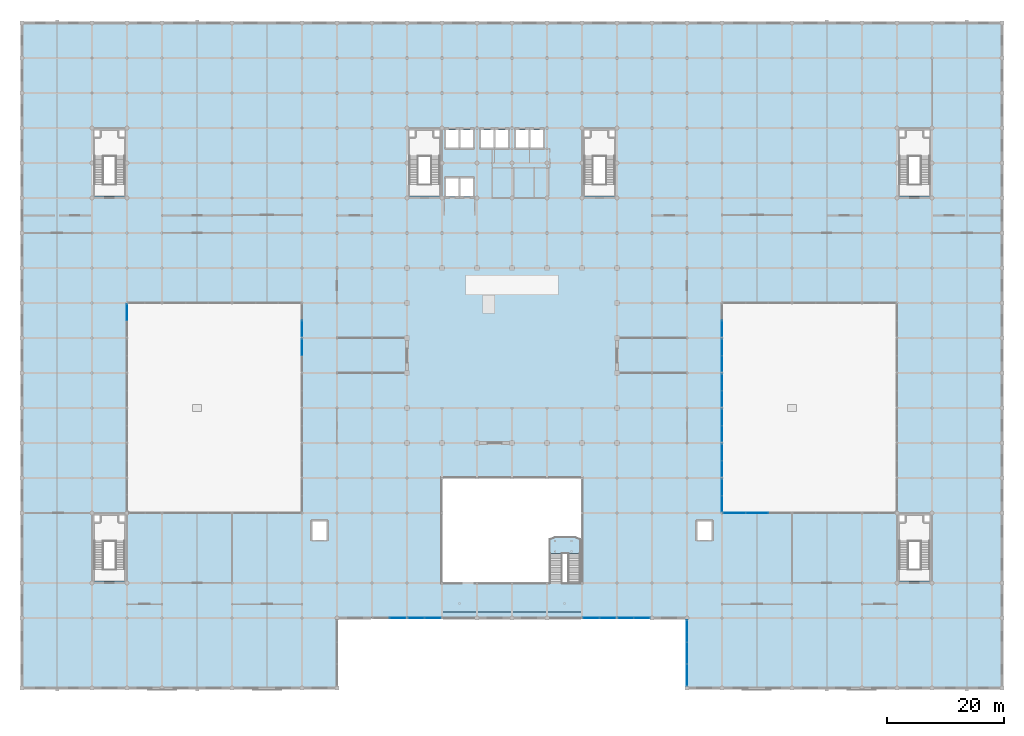
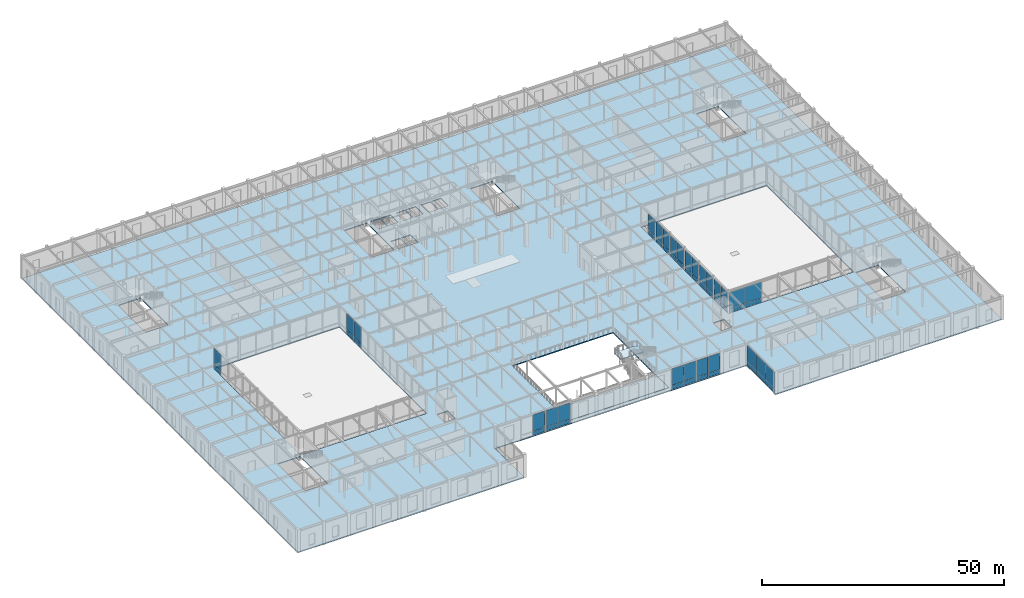
# One storey, part 94 of 108: 52 plates, 3 slabs, 16 elements without a shape of their own.
"""IFC4 building model written with IfcOpenShell, lengths in metres."""

from ifc_helpers import new_model, si_unit, direction, frame, origin, origin_2d, place, context, subcontext, project, spatial, polyline, rectangle, outline, extrude, material, layer, layer_set, type_object, element, aggregate, save


model = new_model("IFC4")

# Units and contexts
model_context = context("Model", 3, precision=1e-05, world=origin(), true_north=direction((0.0, 1.0)))
body_context = subcontext(model_context, "Body", "Model", "MODEL_VIEW")
ifc_project = project(units=[si_unit("LENGTHUNIT", "METRE"), si_unit("AREAUNIT", "SQUARE_METRE"), si_unit("VOLUMEUNIT", "CUBIC_METRE"), si_unit("PLANEANGLEUNIT", "RADIAN"), si_unit("MASSUNIT", "GRAM", prefix="KILO")], contexts=[model_context])

# Site, building, storey
site_placement = place(None, origin())
site = spatial("IfcSite", under=ifc_project, at=site_placement, CompositionType="ELEMENT")
building_placement = place(site_placement, origin())
building = spatial("IfcBuilding", under=site, at=building_placement, Name="Zlatovratsky Civic Hall", CompositionType="ELEMENT")
storey_placement = place(building_placement, frame((0.0, 0.0, 6.0)))
storey = spatial("IfcBuildingStorey", under=building, at=storey_placement, Name="L02", CompositionType="ELEMENT", Elevation=6.0)

# Curtain wall, plates
ifc_material_1 = material(Name="Anodised bronze aluminium", Category="aluminium")
ifc_layer_1 = layer(ifc_material_1, 0.159912109375)
ifc_layer_set_1 = layer_set([ifc_layer_1], Name="Anodised bronze aluminium")
curtain_wall_type_1 = type_object("IfcCurtainWallType", Name="CurtainWall_Bronze_5700x5310_06", PredefinedType="NOTDEFINED", material=ifc_layer_set_1)
curtain_wall_1_placement = place(storey_placement, origin())
curtain_wall_1 = element("IfcCurtainWall", 1, at=curtain_wall_1_placement, inside=storey, type_object=curtain_wall_type_1, Name="CW-020", PredefinedType="NOTDEFINED")
ifc_material_2 = material(Name="Low-E laminated double glazing", Category="glass")
ifc_layer_2 = layer(ifc_material_2, 0.02392578125)
ifc_layer_set_2 = layer_set([ifc_layer_2], Name="Low-E laminated double glazing")
plate_type_1 = type_object("IfcPlateType", Name="Panel_CourtGlazing_24", PredefinedType="CURTAIN_PANEL", material=ifc_layer_set_2)
plate_1_placement = place(storey_placement, frame((18.0, 64.409912109375, 0.06005859375), z_axis=(0.0, 0.0, 1.0), x_axis=(0.0, 1.0, 0.0)))
plate_1 = element("IfcPlate", 2, at=plate_1_placement, type_object=plate_type_1, Name="CW-06 panel 2.1", PredefinedType="CURTAIN_PANEL", context=body_context, shape_type="SweptSolid", body=[
    extrude(rectangle(XDim=2.760009765625, YDim=0.02392578125, at=origin_2d()), origin(), (0.0, 0.0, 1.0), 1.010009765625),
])
plate_2_placement = place(storey_placement, frame((18.0, 64.409912109375, 1.1298828125), z_axis=(0.0, 0.0, 1.0), x_axis=(0.0, 1.0, 0.0)))
plate_2 = element("IfcPlate", 3, at=plate_2_placement, type_object=plate_type_1, Name="CW-06 panel 2.2", PredefinedType="CURTAIN_PANEL", context=body_context, shape_type="SweptSolid", body=[
    extrude(rectangle(XDim=2.760009765625, YDim=0.02392578125, at=origin_2d()), origin(), (0.0, 0.0, 1.0), 4.1201171875),
])
aggregate(curtain_wall_1, [plate_1, plate_2])

curtain_wall_2_placement = place(storey_placement, origin())
curtain_wall_2 = element("IfcCurtainWall", 4, at=curtain_wall_2_placement, inside=storey, type_object=curtain_wall_type_1, Name="CW-025", PredefinedType="NOTDEFINED")
plate_3_placement = place(storey_placement, frame((48.0, 58.409912109375, 0.06005859375), z_axis=(0.0, 0.0, 1.0), x_axis=(0.0, 1.0, 0.0)))
plate_3 = element("IfcPlate", 5, at=plate_3_placement, type_object=plate_type_1, Name="CW-06 panel 2.1", PredefinedType="CURTAIN_PANEL", context=body_context, shape_type="SweptSolid", body=[
    extrude(rectangle(XDim=2.760009765625, YDim=0.02392578125, at=origin_2d()), origin(), (0.0, 0.0, 1.0), 1.010009765625),
])
plate_4_placement = place(storey_placement, frame((48.0, 58.409912109375, 1.1298828125), z_axis=(0.0, 0.0, 1.0), x_axis=(0.0, 1.0, 0.0)))
plate_4 = element("IfcPlate", 6, at=plate_4_placement, type_object=plate_type_1, Name="CW-06 panel 2.2", PredefinedType="CURTAIN_PANEL", context=body_context, shape_type="SweptSolid", body=[
    extrude(rectangle(XDim=2.760009765625, YDim=0.02392578125, at=origin_2d()), origin(), (0.0, 0.0, 1.0), 4.1201171875),
])
aggregate(curtain_wall_2, [plate_3, plate_4])

curtain_wall_3_placement = place(storey_placement, origin())
curtain_wall_3 = element("IfcCurtainWall", 7, at=curtain_wall_3_placement, inside=storey, type_object=curtain_wall_type_1, Name="CW-026", PredefinedType="NOTDEFINED")
plate_5_placement = place(storey_placement, frame((48.0, 61.590087890625, 0.06005859375), z_axis=(0.0, 0.0, 1.0), x_axis=(0.0, 1.0, 0.0)))
plate_5 = element("IfcPlate", 8, at=plate_5_placement, type_object=plate_type_1, Name="CW-06 panel 1.1", PredefinedType="CURTAIN_PANEL", context=body_context, shape_type="SweptSolid", body=[
    extrude(rectangle(XDim=2.760009765625, YDim=0.02392578125, at=origin_2d()), origin(), (0.0, 0.0, 1.0), 1.010009765625),
])
plate_6_placement = place(storey_placement, frame((48.0, 61.590087890625, 1.1298828125), z_axis=(0.0, 0.0, 1.0), x_axis=(0.0, 1.0, 0.0)))
plate_6 = element("IfcPlate", 9, at=plate_6_placement, type_object=plate_type_1, Name="CW-06 panel 1.2", PredefinedType="CURTAIN_PANEL", context=body_context, shape_type="SweptSolid", body=[
    extrude(rectangle(XDim=2.760009765625, YDim=0.02392578125, at=origin_2d()), origin(), (0.0, 0.0, 1.0), 4.1201171875),
])
aggregate(curtain_wall_3, [plate_5, plate_6])

ifc_layer_3 = layer(ifc_material_1, 0.159912109375)
ifc_layer_set_3 = layer_set([ifc_layer_3], Name="Anodised bronze aluminium")
curtain_wall_type_2 = type_object("IfcCurtainWallType", Name="CurtainWall_Bronze_11700x5310_05", PredefinedType="NOTDEFINED", material=ifc_layer_set_3)
curtain_wall_4_placement = place(storey_placement, origin())
curtain_wall_4 = element("IfcCurtainWall", 10, at=curtain_wall_4_placement, inside=storey, type_object=curtain_wall_type_2, Name="CW-027", PredefinedType="NOTDEFINED")
plate_7_placement = place(storey_placement, frame((122.114990234375, 30.0, 0.06005859375), z_axis=(0.0, 0.0, 1.0), x_axis=(1.0, 0.0, 0.0)))
plate_7 = element("IfcPlate", 11, at=plate_7_placement, type_object=plate_type_1, Name="CW-05 panel 1.1", PredefinedType="CURTAIN_PANEL", context=body_context, shape_type="SweptSolid", body=[
    extrude(rectangle(XDim=3.81005859375, YDim=0.02392578125, at=origin_2d()), origin(), (0.0, 0.0, 1.0), 1.010009765625),
])
plate_8_placement = place(storey_placement, frame((122.114990234375, 30.0, 1.1298828125), z_axis=(0.0, 0.0, 1.0), x_axis=(1.0, 0.0, 0.0)))
plate_8 = element("IfcPlate", 12, at=plate_8_placement, type_object=plate_type_1, Name="CW-05 panel 1.2", PredefinedType="CURTAIN_PANEL", context=body_context, shape_type="SweptSolid", body=[
    extrude(rectangle(XDim=3.81005859375, YDim=0.02392578125, at=origin_2d()), origin(), (0.0, 0.0, 1.0), 4.1201171875),
])
plate_9_placement = place(storey_placement, frame((126.0, 30.0, 0.06005859375), z_axis=(0.0, 0.0, 1.0), x_axis=(1.0, 0.0, 0.0)))
plate_9 = element("IfcPlate", 13, at=plate_9_placement, type_object=plate_type_1, Name="CW-05 panel 2.1", PredefinedType="CURTAIN_PANEL", context=body_context, shape_type="SweptSolid", body=[
    extrude(rectangle(XDim=3.840087890625, YDim=0.02392578125, at=origin_2d()), origin(), (0.0, 0.0, 1.0), 1.010009765625),
])
plate_10_placement = place(storey_placement, frame((126.0, 30.0, 1.1298828125), z_axis=(0.0, 0.0, 1.0), x_axis=(1.0, 0.0, 0.0)))
plate_10 = element("IfcPlate", 14, at=plate_10_placement, type_object=plate_type_1, Name="CW-05 panel 2.2", PredefinedType="CURTAIN_PANEL", context=body_context, shape_type="SweptSolid", body=[
    extrude(rectangle(XDim=3.840087890625, YDim=0.02392578125, at=origin_2d()), origin(), (0.0, 0.0, 1.0), 4.1201171875),
])
aggregate(curtain_wall_4, [plate_7, plate_8, plate_9, plate_10])

curtain_wall_5_placement = place(storey_placement, origin())
curtain_wall_5 = element("IfcCurtainWall", 15, at=curtain_wall_5_placement, inside=storey, type_object=curtain_wall_type_1, Name="CW-033", PredefinedType="NOTDEFINED")
plate_11_placement = place(storey_placement, frame((120.0, 31.590087890625, 0.06005859375), z_axis=(0.0, 0.0, 1.0), x_axis=(0.0, 1.0, 0.0)))
plate_11 = element("IfcPlate", 16, at=plate_11_placement, type_object=plate_type_1, Name="CW-06 panel 1.1", PredefinedType="CURTAIN_PANEL", context=body_context, shape_type="SweptSolid", body=[
    extrude(rectangle(XDim=2.760009765625, YDim=0.02392578125, at=origin_2d()), origin(), (0.0, 0.0, 1.0), 1.010009765625),
])
plate_12_placement = place(storey_placement, frame((120.0, 31.590087890625, 1.1298828125), z_axis=(0.0, 0.0, 1.0), x_axis=(0.0, 1.0, 0.0)))
plate_12 = element("IfcPlate", 17, at=plate_12_placement, type_object=plate_type_1, Name="CW-06 panel 1.2", PredefinedType="CURTAIN_PANEL", context=body_context, shape_type="SweptSolid", body=[
    extrude(rectangle(XDim=2.760009765625, YDim=0.02392578125, at=origin_2d()), origin(), (0.0, 0.0, 1.0), 4.1201171875),
])
plate_13_placement = place(storey_placement, frame((120.0, 34.409912109375, 0.06005859375), z_axis=(0.0, 0.0, 1.0), x_axis=(0.0, 1.0, 0.0)))
plate_13 = element("IfcPlate", 18, at=plate_13_placement, type_object=plate_type_1, Name="CW-06 panel 2.1", PredefinedType="CURTAIN_PANEL", context=body_context, shape_type="SweptSolid", body=[
    extrude(rectangle(XDim=2.760009765625, YDim=0.02392578125, at=origin_2d()), origin(), (0.0, 0.0, 1.0), 1.010009765625),
])
plate_14_placement = place(storey_placement, frame((120.0, 34.409912109375, 1.1298828125), z_axis=(0.0, 0.0, 1.0), x_axis=(0.0, 1.0, 0.0)))
plate_14 = element("IfcPlate", 19, at=plate_14_placement, type_object=plate_type_1, Name="CW-06 panel 2.2", PredefinedType="CURTAIN_PANEL", context=body_context, shape_type="SweptSolid", body=[
    extrude(rectangle(XDim=2.760009765625, YDim=0.02392578125, at=origin_2d()), origin(), (0.0, 0.0, 1.0), 4.1201171875),
])
aggregate(curtain_wall_5, [plate_11, plate_12, plate_13, plate_14])

curtain_wall_6_placement = place(storey_placement, origin())
curtain_wall_6 = element("IfcCurtainWall", 20, at=curtain_wall_6_placement, inside=storey, type_object=curtain_wall_type_1, Name="CW-034", PredefinedType="NOTDEFINED")
plate_15_placement = place(storey_placement, frame((120.0, 37.590087890625, 0.06005859375), z_axis=(0.0, 0.0, 1.0), x_axis=(0.0, 1.0, 0.0)))
plate_15 = element("IfcPlate", 21, at=plate_15_placement, type_object=plate_type_1, Name="CW-06 panel 1.1", PredefinedType="CURTAIN_PANEL", context=body_context, shape_type="SweptSolid", body=[
    extrude(rectangle(XDim=2.760009765625, YDim=0.02392578125, at=origin_2d()), origin(), (0.0, 0.0, 1.0), 1.010009765625),
])
plate_16_placement = place(storey_placement, frame((120.0, 37.590087890625, 1.1298828125), z_axis=(0.0, 0.0, 1.0), x_axis=(0.0, 1.0, 0.0)))
plate_16 = element("IfcPlate", 22, at=plate_16_placement, type_object=plate_type_1, Name="CW-06 panel 1.2", PredefinedType="CURTAIN_PANEL", context=body_context, shape_type="SweptSolid", body=[
    extrude(rectangle(XDim=2.760009765625, YDim=0.02392578125, at=origin_2d()), origin(), (0.0, 0.0, 1.0), 4.1201171875),
])
plate_17_placement = place(storey_placement, frame((120.0, 40.409912109375, 0.06005859375), z_axis=(0.0, 0.0, 1.0), x_axis=(0.0, 1.0, 0.0)))
plate_17 = element("IfcPlate", 23, at=plate_17_placement, type_object=plate_type_1, Name="CW-06 panel 2.1", PredefinedType="CURTAIN_PANEL", context=body_context, shape_type="SweptSolid", body=[
    extrude(rectangle(XDim=2.760009765625, YDim=0.02392578125, at=origin_2d()), origin(), (0.0, 0.0, 1.0), 1.010009765625),
])
plate_18_placement = place(storey_placement, frame((120.0, 40.409912109375, 1.1298828125), z_axis=(0.0, 0.0, 1.0), x_axis=(0.0, 1.0, 0.0)))
plate_18 = element("IfcPlate", 24, at=plate_18_placement, type_object=plate_type_1, Name="CW-06 panel 2.2", PredefinedType="CURTAIN_PANEL", context=body_context, shape_type="SweptSolid", body=[
    extrude(rectangle(XDim=2.760009765625, YDim=0.02392578125, at=origin_2d()), origin(), (0.0, 0.0, 1.0), 4.1201171875),
])
aggregate(curtain_wall_6, [plate_15, plate_16, plate_17, plate_18])

curtain_wall_7_placement = place(storey_placement, origin())
curtain_wall_7 = element("IfcCurtainWall", 25, at=curtain_wall_7_placement, inside=storey, type_object=curtain_wall_type_1, Name="CW-035", PredefinedType="NOTDEFINED")
plate_19_placement = place(storey_placement, frame((120.0, 43.590087890625, 0.06005859375), z_axis=(0.0, 0.0, 1.0), x_axis=(0.0, 1.0, 0.0)))
plate_19 = element("IfcPlate", 26, at=plate_19_placement, type_object=plate_type_1, Name="CW-06 panel 1.1", PredefinedType="CURTAIN_PANEL", context=body_context, shape_type="SweptSolid", body=[
    extrude(rectangle(XDim=2.760009765625, YDim=0.02392578125, at=origin_2d()), origin(), (0.0, 0.0, 1.0), 1.010009765625),
])
plate_20_placement = place(storey_placement, frame((120.0, 43.590087890625, 1.1298828125), z_axis=(0.0, 0.0, 1.0), x_axis=(0.0, 1.0, 0.0)))
plate_20 = element("IfcPlate", 27, at=plate_20_placement, type_object=plate_type_1, Name="CW-06 panel 1.2", PredefinedType="CURTAIN_PANEL", context=body_context, shape_type="SweptSolid", body=[
    extrude(rectangle(XDim=2.760009765625, YDim=0.02392578125, at=origin_2d()), origin(), (0.0, 0.0, 1.0), 4.1201171875),
])
plate_21_placement = place(storey_placement, frame((120.0, 46.409912109375, 0.06005859375), z_axis=(0.0, 0.0, 1.0), x_axis=(0.0, 1.0, 0.0)))
plate_21 = element("IfcPlate", 28, at=plate_21_placement, type_object=plate_type_1, Name="CW-06 panel 2.1", PredefinedType="CURTAIN_PANEL", context=body_context, shape_type="SweptSolid", body=[
    extrude(rectangle(XDim=2.760009765625, YDim=0.02392578125, at=origin_2d()), origin(), (0.0, 0.0, 1.0), 1.010009765625),
])
plate_22_placement = place(storey_placement, frame((120.0, 46.409912109375, 1.1298828125), z_axis=(0.0, 0.0, 1.0), x_axis=(0.0, 1.0, 0.0)))
plate_22 = element("IfcPlate", 29, at=plate_22_placement, type_object=plate_type_1, Name="CW-06 panel 2.2", PredefinedType="CURTAIN_PANEL", context=body_context, shape_type="SweptSolid", body=[
    extrude(rectangle(XDim=2.760009765625, YDim=0.02392578125, at=origin_2d()), origin(), (0.0, 0.0, 1.0), 4.1201171875),
])
aggregate(curtain_wall_7, [plate_19, plate_20, plate_21, plate_22])

curtain_wall_8_placement = place(storey_placement, origin())
curtain_wall_8 = element("IfcCurtainWall", 30, at=curtain_wall_8_placement, inside=storey, type_object=curtain_wall_type_1, Name="CW-036", PredefinedType="NOTDEFINED")
plate_23_placement = place(storey_placement, frame((120.0, 49.590087890625, 0.06005859375), z_axis=(0.0, 0.0, 1.0), x_axis=(0.0, 1.0, 0.0)))
plate_23 = element("IfcPlate", 31, at=plate_23_placement, type_object=plate_type_1, Name="CW-06 panel 1.1", PredefinedType="CURTAIN_PANEL", context=body_context, shape_type="SweptSolid", body=[
    extrude(rectangle(XDim=2.760009765625, YDim=0.02392578125, at=origin_2d()), origin(), (0.0, 0.0, 1.0), 1.010009765625),
])
plate_24_placement = place(storey_placement, frame((120.0, 49.590087890625, 1.1298828125), z_axis=(0.0, 0.0, 1.0), x_axis=(0.0, 1.0, 0.0)))
plate_24 = element("IfcPlate", 32, at=plate_24_placement, type_object=plate_type_1, Name="CW-06 panel 1.2", PredefinedType="CURTAIN_PANEL", context=body_context, shape_type="SweptSolid", body=[
    extrude(rectangle(XDim=2.760009765625, YDim=0.02392578125, at=origin_2d()), origin(), (0.0, 0.0, 1.0), 4.1201171875),
])
plate_25_placement = place(storey_placement, frame((120.0, 52.409912109375, 0.06005859375), z_axis=(0.0, 0.0, 1.0), x_axis=(0.0, 1.0, 0.0)))
plate_25 = element("IfcPlate", 33, at=plate_25_placement, type_object=plate_type_1, Name="CW-06 panel 2.1", PredefinedType="CURTAIN_PANEL", context=body_context, shape_type="SweptSolid", body=[
    extrude(rectangle(XDim=2.760009765625, YDim=0.02392578125, at=origin_2d()), origin(), (0.0, 0.0, 1.0), 1.010009765625),
])
plate_26_placement = place(storey_placement, frame((120.0, 52.409912109375, 1.1298828125), z_axis=(0.0, 0.0, 1.0), x_axis=(0.0, 1.0, 0.0)))
plate_26 = element("IfcPlate", 34, at=plate_26_placement, type_object=plate_type_1, Name="CW-06 panel 2.2", PredefinedType="CURTAIN_PANEL", context=body_context, shape_type="SweptSolid", body=[
    extrude(rectangle(XDim=2.760009765625, YDim=0.02392578125, at=origin_2d()), origin(), (0.0, 0.0, 1.0), 4.1201171875),
])
aggregate(curtain_wall_8, [plate_23, plate_24, plate_25, plate_26])

curtain_wall_9_placement = place(storey_placement, origin())
curtain_wall_9 = element("IfcCurtainWall", 35, at=curtain_wall_9_placement, inside=storey, type_object=curtain_wall_type_1, Name="CW-037", PredefinedType="NOTDEFINED")
plate_27_placement = place(storey_placement, frame((120.0, 55.590087890625, 0.06005859375), z_axis=(0.0, 0.0, 1.0), x_axis=(0.0, 1.0, 0.0)))
plate_27 = element("IfcPlate", 36, at=plate_27_placement, type_object=plate_type_1, Name="CW-06 panel 1.1", PredefinedType="CURTAIN_PANEL", context=body_context, shape_type="SweptSolid", body=[
    extrude(rectangle(XDim=2.760009765625, YDim=0.02392578125, at=origin_2d()), origin(), (0.0, 0.0, 1.0), 1.010009765625),
])
plate_28_placement = place(storey_placement, frame((120.0, 55.590087890625, 1.1298828125), z_axis=(0.0, 0.0, 1.0), x_axis=(0.0, 1.0, 0.0)))
plate_28 = element("IfcPlate", 37, at=plate_28_placement, type_object=plate_type_1, Name="CW-06 panel 1.2", PredefinedType="CURTAIN_PANEL", context=body_context, shape_type="SweptSolid", body=[
    extrude(rectangle(XDim=2.760009765625, YDim=0.02392578125, at=origin_2d()), origin(), (0.0, 0.0, 1.0), 4.1201171875),
])
plate_29_placement = place(storey_placement, frame((120.0, 58.409912109375, 0.06005859375), z_axis=(0.0, 0.0, 1.0), x_axis=(0.0, 1.0, 0.0)))
plate_29 = element("IfcPlate", 38, at=plate_29_placement, type_object=plate_type_1, Name="CW-06 panel 2.1", PredefinedType="CURTAIN_PANEL", context=body_context, shape_type="SweptSolid", body=[
    extrude(rectangle(XDim=2.760009765625, YDim=0.02392578125, at=origin_2d()), origin(), (0.0, 0.0, 1.0), 1.010009765625),
])
plate_30_placement = place(storey_placement, frame((120.0, 58.409912109375, 1.1298828125), z_axis=(0.0, 0.0, 1.0), x_axis=(0.0, 1.0, 0.0)))
plate_30 = element("IfcPlate", 39, at=plate_30_placement, type_object=plate_type_1, Name="CW-06 panel 2.2", PredefinedType="CURTAIN_PANEL", context=body_context, shape_type="SweptSolid", body=[
    extrude(rectangle(XDim=2.760009765625, YDim=0.02392578125, at=origin_2d()), origin(), (0.0, 0.0, 1.0), 4.1201171875),
])
aggregate(curtain_wall_9, [plate_27, plate_28, plate_29, plate_30])

curtain_wall_10_placement = place(storey_placement, origin())
curtain_wall_10 = element("IfcCurtainWall", 40, at=curtain_wall_10_placement, inside=storey, type_object=curtain_wall_type_1, Name="CW-038", PredefinedType="NOTDEFINED")
plate_31_placement = place(storey_placement, frame((120.0, 61.590087890625, 0.06005859375), z_axis=(0.0, 0.0, 1.0), x_axis=(0.0, 1.0, 0.0)))
plate_31 = element("IfcPlate", 41, at=plate_31_placement, type_object=plate_type_1, Name="CW-06 panel 1.1", PredefinedType="CURTAIN_PANEL", context=body_context, shape_type="SweptSolid", body=[
    extrude(rectangle(XDim=2.760009765625, YDim=0.02392578125, at=origin_2d()), origin(), (0.0, 0.0, 1.0), 1.010009765625),
])
plate_32_placement = place(storey_placement, frame((120.0, 61.590087890625, 1.1298828125), z_axis=(0.0, 0.0, 1.0), x_axis=(0.0, 1.0, 0.0)))
plate_32 = element("IfcPlate", 42, at=plate_32_placement, type_object=plate_type_1, Name="CW-06 panel 1.2", PredefinedType="CURTAIN_PANEL", context=body_context, shape_type="SweptSolid", body=[
    extrude(rectangle(XDim=2.760009765625, YDim=0.02392578125, at=origin_2d()), origin(), (0.0, 0.0, 1.0), 4.1201171875),
])
aggregate(curtain_wall_10, [plate_31, plate_32])

ifc_layer_4 = layer(ifc_material_1, 0.159912109375)
ifc_layer_set_4 = layer_set([ifc_layer_4], Name="Anodised bronze aluminium")
curtain_wall_type_3 = type_object("IfcCurtainWallType", Name="CurtainWall_Bronze_11300x5310_02", PredefinedType="NOTDEFINED", material=ifc_layer_set_4)
curtain_wall_11_placement = place(storey_placement, origin())
curtain_wall_11 = element("IfcCurtainWall", 43, at=curtain_wall_11_placement, inside=storey, type_object=curtain_wall_type_3, Name="CW-004", PredefinedType="NOTDEFINED")
ifc_material_3 = material(Name="Solar-control triple glazing", Category="glass")
ifc_layer_5 = layer(ifc_material_3, 0.028076171875)
ifc_layer_set_5 = layer_set([ifc_layer_5], Name="Solar-control triple glazing")
plate_type_2 = type_object("IfcPlateType", Name="Panel_TowerTripleGlazing_28", PredefinedType="CURTAIN_PANEL", material=ifc_layer_set_5)
plate_33_placement = place(storey_placement, frame((114.0, 2.248291015625, 0.06005859375), z_axis=(0.0, 0.0, 1.0), x_axis=(0.0, 1.0, 0.0)))
plate_33 = element("IfcPlate", 44, at=plate_33_placement, type_object=plate_type_2, Name="CW-02 panel 1.1", PredefinedType="CURTAIN_PANEL", context=body_context, shape_type="SweptSolid", body=[
    extrude(rectangle(XDim=3.6767578125, YDim=0.028076171875, at=origin_2d()), origin(), (0.0, 0.0, 1.0), 1.010009765625),
])
plate_34_placement = place(storey_placement, frame((114.0, 2.248291015625, 1.1298828125), z_axis=(0.0, 0.0, 1.0), x_axis=(0.0, 1.0, 0.0)))
plate_34 = element("IfcPlate", 45, at=plate_34_placement, type_object=plate_type_2, Name="CW-02 panel 1.2", PredefinedType="CURTAIN_PANEL", context=body_context, shape_type="SweptSolid", body=[
    extrude(rectangle(XDim=3.6767578125, YDim=0.028076171875, at=origin_2d()), origin(), (0.0, 0.0, 1.0), 4.1201171875),
])
plate_35_placement = place(storey_placement, frame((114.0, 6.0, 0.06005859375), z_axis=(0.0, 0.0, 1.0), x_axis=(0.0, 1.0, 0.0)))
plate_35 = element("IfcPlate", 46, at=plate_35_placement, type_object=plate_type_2, Name="CW-02 panel 2.1", PredefinedType="CURTAIN_PANEL", context=body_context, shape_type="SweptSolid", body=[
    extrude(rectangle(XDim=3.706787109375, YDim=0.028076171875, at=origin_2d()), origin(), (0.0, 0.0, 1.0), 1.010009765625),
])
plate_36_placement = place(storey_placement, frame((114.0, 6.0, 1.1298828125), z_axis=(0.0, 0.0, 1.0), x_axis=(0.0, 1.0, 0.0)))
plate_36 = element("IfcPlate", 47, at=plate_36_placement, type_object=plate_type_2, Name="CW-02 panel 2.2", PredefinedType="CURTAIN_PANEL", context=body_context, shape_type="SweptSolid", body=[
    extrude(rectangle(XDim=3.706787109375, YDim=0.028076171875, at=origin_2d()), origin(), (0.0, 0.0, 1.0), 4.1201171875),
])
plate_37_placement = place(storey_placement, frame((114.0, 9.751708984375, 0.06005859375), z_axis=(0.0, 0.0, 1.0), x_axis=(0.0, 1.0, 0.0)))
plate_37 = element("IfcPlate", 48, at=plate_37_placement, type_object=plate_type_2, Name="CW-02 panel 3.1", PredefinedType="CURTAIN_PANEL", context=body_context, shape_type="SweptSolid", body=[
    extrude(rectangle(XDim=3.6767578125, YDim=0.028076171875, at=origin_2d()), origin(), (0.0, 0.0, 1.0), 1.010009765625),
])
plate_38_placement = place(storey_placement, frame((114.0, 9.751708984375, 1.1298828125), z_axis=(0.0, 0.0, 1.0), x_axis=(0.0, 1.0, 0.0)))
plate_38 = element("IfcPlate", 49, at=plate_38_placement, type_object=plate_type_2, Name="CW-02 panel 3.2", PredefinedType="CURTAIN_PANEL", context=body_context, shape_type="SweptSolid", body=[
    extrude(rectangle(XDim=3.6767578125, YDim=0.028076171875, at=origin_2d()), origin(), (0.0, 0.0, 1.0), 4.1201171875),
])
aggregate(curtain_wall_11, [plate_33, plate_34, plate_35, plate_36, plate_37, plate_38])

ifc_layer_6 = layer(ifc_material_1, 0.159912109375)
ifc_layer_set_6 = layer_set([ifc_layer_6], Name="Anodised bronze aluminium")
curtain_wall_type_4 = type_object("IfcCurtainWallType", Name="CurtainWall_Bronze_5730x5310_03", PredefinedType="NOTDEFINED", material=ifc_layer_set_6)
curtain_wall_12_placement = place(storey_placement, origin())
curtain_wall_12 = element("IfcCurtainWall", 50, at=curtain_wall_12_placement, inside=storey, type_object=curtain_wall_type_4, Name="CW-005", PredefinedType="NOTDEFINED")
plate_39_placement = place(storey_placement, frame((64.416748046875, 12.0, 0.06005859375), z_axis=(0.0, 0.0, 1.0), x_axis=(1.0, 0.0, 0.0)))
plate_39 = element("IfcPlate", 51, at=plate_39_placement, type_object=plate_type_2, Name="CW-03 panel 2.1", PredefinedType="CURTAIN_PANEL", context=body_context, shape_type="SweptSolid", body=[
    extrude(rectangle(XDim=2.7734375, YDim=0.028076171875, at=origin_2d()), origin(), (0.0, 0.0, 1.0), 1.010009765625),
])
plate_40_placement = place(storey_placement, frame((64.416748046875, 12.0, 1.1298828125), z_axis=(0.0, 0.0, 1.0), x_axis=(1.0, 0.0, 0.0)))
plate_40 = element("IfcPlate", 52, at=plate_40_placement, type_object=plate_type_2, Name="CW-03 panel 2.2", PredefinedType="CURTAIN_PANEL", context=body_context, shape_type="SweptSolid", body=[
    extrude(rectangle(XDim=2.7734375, YDim=0.028076171875, at=origin_2d()), origin(), (0.0, 0.0, 1.0), 4.1201171875),
])
aggregate(curtain_wall_12, [plate_39, plate_40])

curtain_wall_13_placement = place(storey_placement, origin())
curtain_wall_13 = element("IfcCurtainWall", 53, at=curtain_wall_13_placement, inside=storey, type_object=curtain_wall_type_4, Name="CW-006", PredefinedType="NOTDEFINED")
plate_41_placement = place(storey_placement, frame((67.583251953125, 12.0, 0.06005859375), z_axis=(0.0, 0.0, 1.0), x_axis=(1.0, 0.0, 0.0)))
plate_41 = element("IfcPlate", 54, at=plate_41_placement, type_object=plate_type_2, Name="CW-03 panel 1.1", PredefinedType="CURTAIN_PANEL", context=body_context, shape_type="SweptSolid", body=[
    extrude(rectangle(XDim=2.7734375, YDim=0.028076171875, at=origin_2d()), origin(), (0.0, 0.0, 1.0), 1.010009765625),
])
plate_42_placement = place(storey_placement, frame((67.583251953125, 12.0, 1.1298828125), z_axis=(0.0, 0.0, 1.0), x_axis=(1.0, 0.0, 0.0)))
plate_42 = element("IfcPlate", 55, at=plate_42_placement, type_object=plate_type_2, Name="CW-03 panel 1.2", PredefinedType="CURTAIN_PANEL", context=body_context, shape_type="SweptSolid", body=[
    extrude(rectangle(XDim=2.7734375, YDim=0.028076171875, at=origin_2d()), origin(), (0.0, 0.0, 1.0), 4.1201171875),
])
plate_43_placement = place(storey_placement, frame((70.416748046875, 12.0, 0.06005859375), z_axis=(0.0, 0.0, 1.0), x_axis=(1.0, 0.0, 0.0)))
plate_43 = element("IfcPlate", 56, at=plate_43_placement, type_object=plate_type_2, Name="CW-03 panel 2.1", PredefinedType="CURTAIN_PANEL", context=body_context, shape_type="SweptSolid", body=[
    extrude(rectangle(XDim=2.7734375, YDim=0.028076171875, at=origin_2d()), origin(), (0.0, 0.0, 1.0), 1.010009765625),
])
plate_44_placement = place(storey_placement, frame((70.416748046875, 12.0, 1.1298828125), z_axis=(0.0, 0.0, 1.0), x_axis=(1.0, 0.0, 0.0)))
plate_44 = element("IfcPlate", 57, at=plate_44_placement, type_object=plate_type_2, Name="CW-03 panel 2.2", PredefinedType="CURTAIN_PANEL", context=body_context, shape_type="SweptSolid", body=[
    extrude(rectangle(XDim=2.7734375, YDim=0.028076171875, at=origin_2d()), origin(), (0.0, 0.0, 1.0), 4.1201171875),
])
aggregate(curtain_wall_13, [plate_41, plate_42, plate_43, plate_44])

curtain_wall_14_placement = place(storey_placement, origin())
curtain_wall_14 = element("IfcCurtainWall", 58, at=curtain_wall_14_placement, inside=storey, type_object=curtain_wall_type_4, Name="CW-007", PredefinedType="NOTDEFINED")
plate_45_placement = place(storey_placement, frame((97.583251953125, 12.0, 0.06005859375), z_axis=(0.0, 0.0, 1.0), x_axis=(1.0, 0.0, 0.0)))
plate_45 = element("IfcPlate", 59, at=plate_45_placement, type_object=plate_type_2, Name="CW-03 panel 1.1", PredefinedType="CURTAIN_PANEL", context=body_context, shape_type="SweptSolid", body=[
    extrude(rectangle(XDim=2.7734375, YDim=0.028076171875, at=origin_2d()), origin(), (0.0, 0.0, 1.0), 1.010009765625),
])
plate_46_placement = place(storey_placement, frame((97.583251953125, 12.0, 1.1298828125), z_axis=(0.0, 0.0, 1.0), x_axis=(1.0, 0.0, 0.0)))
plate_46 = element("IfcPlate", 60, at=plate_46_placement, type_object=plate_type_2, Name="CW-03 panel 1.2", PredefinedType="CURTAIN_PANEL", context=body_context, shape_type="SweptSolid", body=[
    extrude(rectangle(XDim=2.7734375, YDim=0.028076171875, at=origin_2d()), origin(), (0.0, 0.0, 1.0), 4.1201171875),
])
plate_47_placement = place(storey_placement, frame((100.416748046875, 12.0, 0.06005859375), z_axis=(0.0, 0.0, 1.0), x_axis=(1.0, 0.0, 0.0)))
plate_47 = element("IfcPlate", 61, at=plate_47_placement, type_object=plate_type_2, Name="CW-03 panel 2.1", PredefinedType="CURTAIN_PANEL", context=body_context, shape_type="SweptSolid", body=[
    extrude(rectangle(XDim=2.7734375, YDim=0.028076171875, at=origin_2d()), origin(), (0.0, 0.0, 1.0), 1.010009765625),
])
plate_48_placement = place(storey_placement, frame((100.416748046875, 12.0, 1.1298828125), z_axis=(0.0, 0.0, 1.0), x_axis=(1.0, 0.0, 0.0)))
plate_48 = element("IfcPlate", 62, at=plate_48_placement, type_object=plate_type_2, Name="CW-03 panel 2.2", PredefinedType="CURTAIN_PANEL", context=body_context, shape_type="SweptSolid", body=[
    extrude(rectangle(XDim=2.7734375, YDim=0.028076171875, at=origin_2d()), origin(), (0.0, 0.0, 1.0), 4.1201171875),
])
aggregate(curtain_wall_14, [plate_45, plate_46, plate_47, plate_48])

ifc_layer_7 = layer(ifc_material_1, 0.159912109375)
ifc_layer_set_7 = layer_set([ifc_layer_7], Name="Anodised bronze aluminium")
curtain_wall_type_5 = type_object("IfcCurtainWallType", Name="CurtainWall_Bronze_5510x5310_01", PredefinedType="NOTDEFINED", material=ifc_layer_set_7)
curtain_wall_15_placement = place(storey_placement, origin())
curtain_wall_15 = element("IfcCurtainWall", 63, at=curtain_wall_15_placement, inside=storey, type_object=curtain_wall_type_5, Name="CW-008", PredefinedType="NOTDEFINED")
plate_49_placement = place(storey_placement, frame((103.52978515625, 12.0, 0.06005859375), z_axis=(0.0, 0.0, 1.0), x_axis=(1.0, 0.0, 0.0)))
plate_49 = element("IfcPlate", 64, at=plate_49_placement, type_object=plate_type_2, Name="CW-01 panel 1.1", PredefinedType="CURTAIN_PANEL", context=body_context, shape_type="SweptSolid", body=[
    extrude(rectangle(XDim=2.666748046875, YDim=0.028076171875, at=origin_2d()), origin(), (0.0, 0.0, 1.0), 1.010009765625),
])
plate_50_placement = place(storey_placement, frame((103.52978515625, 12.0, 1.1298828125), z_axis=(0.0, 0.0, 1.0), x_axis=(1.0, 0.0, 0.0)))
plate_50 = element("IfcPlate", 65, at=plate_50_placement, type_object=plate_type_2, Name="CW-01 panel 1.2", PredefinedType="CURTAIN_PANEL", context=body_context, shape_type="SweptSolid", body=[
    extrude(rectangle(XDim=2.666748046875, YDim=0.028076171875, at=origin_2d()), origin(), (0.0, 0.0, 1.0), 4.1201171875),
])
plate_51_placement = place(storey_placement, frame((106.256591796875, 12.0, 0.06005859375), z_axis=(0.0, 0.0, 1.0), x_axis=(1.0, 0.0, 0.0)))
plate_51 = element("IfcPlate", 66, at=plate_51_placement, type_object=plate_type_2, Name="CW-01 panel 2.1", PredefinedType="CURTAIN_PANEL", context=body_context, shape_type="SweptSolid", body=[
    extrude(rectangle(XDim=2.666748046875, YDim=0.028076171875, at=origin_2d()), origin(), (0.0, 0.0, 1.0), 1.010009765625),
])
plate_52_placement = place(storey_placement, frame((106.256591796875, 12.0, 1.1298828125), z_axis=(0.0, 0.0, 1.0), x_axis=(1.0, 0.0, 0.0)))
plate_52 = element("IfcPlate", 67, at=plate_52_placement, type_object=plate_type_2, Name="CW-01 panel 2.2", PredefinedType="CURTAIN_PANEL", context=body_context, shape_type="SweptSolid", body=[
    extrude(rectangle(XDim=2.666748046875, YDim=0.028076171875, at=origin_2d()), origin(), (0.0, 0.0, 1.0), 4.1201171875),
])
aggregate(curtain_wall_15, [plate_49, plate_50, plate_51, plate_52])

# Slabs
ifc_material_4 = material(Name="Concrete C30/37 (B35)", Category="concrete")
ifc_layer_8 = layer(ifc_material_4, 0.239990234375)
ifc_layer_set_8 = layer_set([ifc_layer_8], Name="Concrete C30/37 (B35)")
slab_type_1 = type_object("IfcSlabType", Name="Slab_CivicPodiumFloor_240", PredefinedType="FLOOR", material=ifc_layer_set_8)
slab_1_placement = place(storey_placement, frame((0.0, 0.0, -0.239990234375)))
element("IfcSlab", 68, at=slab_1_placement, inside=storey, type_object=slab_type_1, Name="SL-022", PredefinedType="FLOOR", context=body_context, shape_type="SweptSolid", body=[
    extrude(outline(polyline([(0.0, 0.0), (54.0, 0.0), (54.0, 12.0), (114.0, 12.0), (114.0, 0.0), (168.0, 0.0), (168.0, 114.0), (0.0, 114.0), (0.0, 0.0)]), holes=[polyline([(66.35009765625, 84.35009765625), (71.64990234375, 84.35009765625), (71.64990234375, 95.64990234375), (66.35009765625, 95.64990234375), (66.35009765625, 84.35009765625)]), polyline([(96.35009765625, 84.35009765625), (101.64990234375, 84.35009765625), (101.64990234375, 95.64990234375), (96.35009765625, 95.64990234375), (96.35009765625, 84.35009765625)]), polyline([(12.35009765625, 18.35009765625), (17.64990234375, 18.35009765625), (17.64990234375, 29.64990234375), (12.35009765625, 29.64990234375), (12.35009765625, 18.35009765625)]), polyline([(150.35009765625, 18.35009765625), (155.64990234375, 18.35009765625), (155.64990234375, 29.64990234375), (150.35009765625, 29.64990234375), (150.35009765625, 18.35009765625)]), polyline([(12.35009765625, 84.35009765625), (17.64990234375, 84.35009765625), (17.64990234375, 95.64990234375), (12.35009765625, 95.64990234375), (12.35009765625, 84.35009765625)]), polyline([(150.35009765625, 84.35009765625), (155.64990234375, 84.35009765625), (155.64990234375, 95.64990234375), (150.35009765625, 95.64990234375), (150.35009765625, 84.35009765625)]), polyline([(72.64990234375, 84.300048828125), (74.85009765625, 84.300048828125), (74.85009765625, 87.39990234375), (72.64990234375, 87.39990234375), (72.64990234375, 84.300048828125)]), polyline([(75.14990234375, 84.300048828125), (77.35009765625, 84.300048828125), (77.35009765625, 87.39990234375), (75.14990234375, 87.39990234375), (75.14990234375, 84.300048828125)]), polyline([(72.64990234375, 92.60009765625), (74.85009765625, 92.60009765625), (74.85009765625, 95.699951171875), (72.64990234375, 95.699951171875), (72.64990234375, 92.60009765625)]), polyline([(75.14990234375, 92.60009765625), (77.35009765625, 92.60009765625), (77.35009765625, 95.699951171875), (75.14990234375, 95.699951171875), (75.14990234375, 92.60009765625)]), polyline([(78.64990234375, 92.60009765625), (80.85009765625, 92.60009765625), (80.85009765625, 95.699951171875), (78.64990234375, 95.699951171875), (78.64990234375, 92.60009765625)]), polyline([(81.14990234375, 92.60009765625), (83.35009765625, 92.60009765625), (83.35009765625, 95.699951171875), (81.14990234375, 95.699951171875), (81.14990234375, 92.60009765625)]), polyline([(84.64990234375, 92.60009765625), (86.85009765625, 92.60009765625), (86.85009765625, 95.699951171875), (84.64990234375, 95.699951171875), (84.64990234375, 92.60009765625)]), polyline([(87.14990234375, 92.60009765625), (89.35009765625, 92.60009765625), (89.35009765625, 95.699951171875), (87.14990234375, 95.699951171875), (87.14990234375, 92.60009765625)]), polyline([(49.75, 25.39990234375), (52.25, 25.39990234375), (52.25, 28.60009765625), (49.75, 28.60009765625), (49.75, 25.39990234375)]), polyline([(115.75, 25.39990234375), (118.25, 25.39990234375), (118.25, 28.60009765625), (115.75, 28.60009765625), (115.75, 25.39990234375)]), polyline([(18.0, 30.0), (48.0, 30.0), (48.0, 66.0), (18.0, 66.0), (18.0, 30.0)]), polyline([(120.0, 30.0), (150.0, 30.0), (150.0, 66.0), (120.0, 66.0), (120.0, 30.0)]), polyline([(72.0, 13.0), (96.0, 13.0), (96.0, 36.0), (72.0, 36.0), (72.0, 13.0)])]), origin(), (0.0, 0.0, 1.0), 0.239990234375),
])
slab_2_placement = place(storey_placement, frame((0.0, 0.0, -0.239990234375)))
element("IfcSlab", 69, at=slab_2_placement, inside=storey, type_object=slab_type_1, Name="SL-029", PredefinedType="FLOOR", context=body_context, shape_type="SweptSolid", body=[
    extrude(outline(polyline([(72.0, 13.0), (96.0, 13.0), (96.0, 18.0), (72.0, 18.0), (72.0, 13.0)])), origin(), (0.0, 0.0, 1.0), 0.239990234375),
])

# Stair, slab
stair_type = type_object("IfcStairType", Name="Stair_TWO__36R_2200W_09", PredefinedType="TWO_QUARTER_TURN_STAIR", material=ifc_material_4)
stair_placement = place(storey_placement, origin())
stair = element("IfcStair", 70, at=stair_placement, inside=storey, type_object=stair_type, Name="ST-055", PredefinedType="TWO_QUARTER_TURN_STAIR")
ifc_layer_9 = layer(ifc_material_4, 0.179931640625)
ifc_layer_set_9 = layer_set([ifc_layer_9], Name="Concrete C30/37 (B35)")
slab_type_2 = type_object("IfcSlabType", Name="Slab_StairLanding_180", PredefinedType="LANDING", material=ifc_layer_set_9)
slab_3_placement = place(storey_placement, frame((0.0, 0.0, 2.800048828125)))
slab_3 = element("IfcSlab", 71, at=slab_3_placement, type_object=slab_type_2, Name="SL-IMP-L02", PredefinedType="LANDING", context=body_context, shape_type="SweptSolid", body=[
    extrude(outline(polyline([(90.39990234375, 23.10009765625), (95.800048828125, 23.10009765625), (95.800048828125, 25.5), (94.800048828125, 25.89990234375), (91.39990234375, 25.89990234375), (90.39990234375, 25.5), (90.39990234375, 23.10009765625)])), origin(), (0.0, 0.0, 1.0), 0.199951171875),
])
aggregate(stair, [slab_3])

save(model, "model.ifc")
